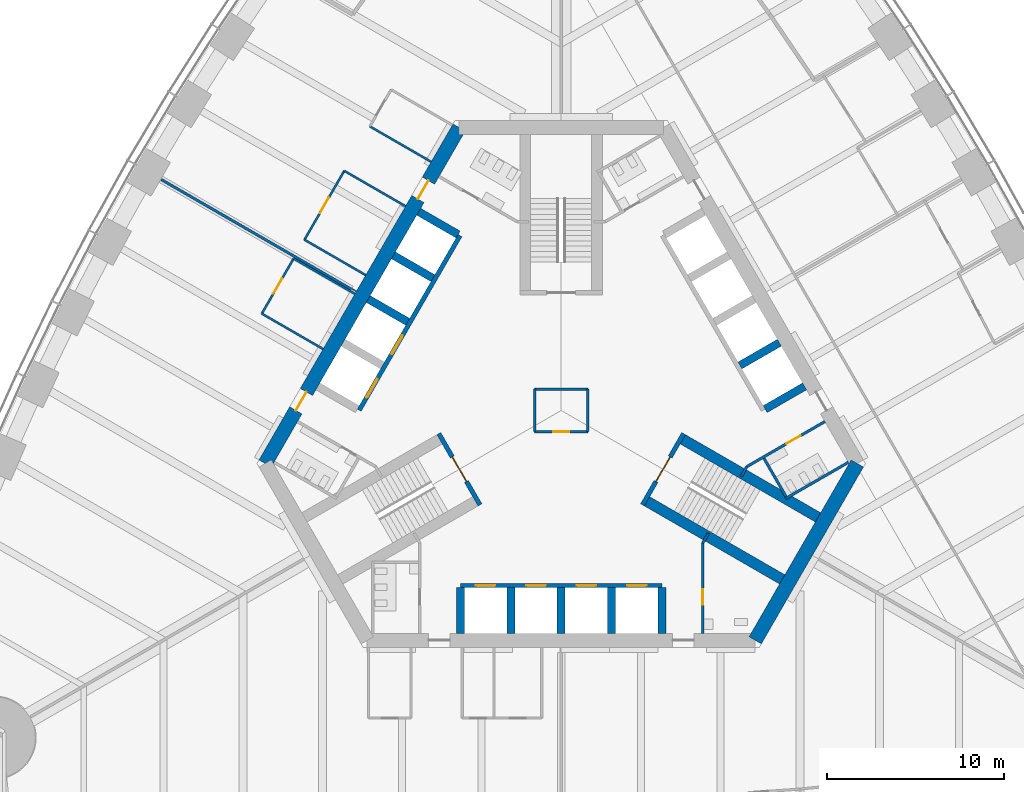
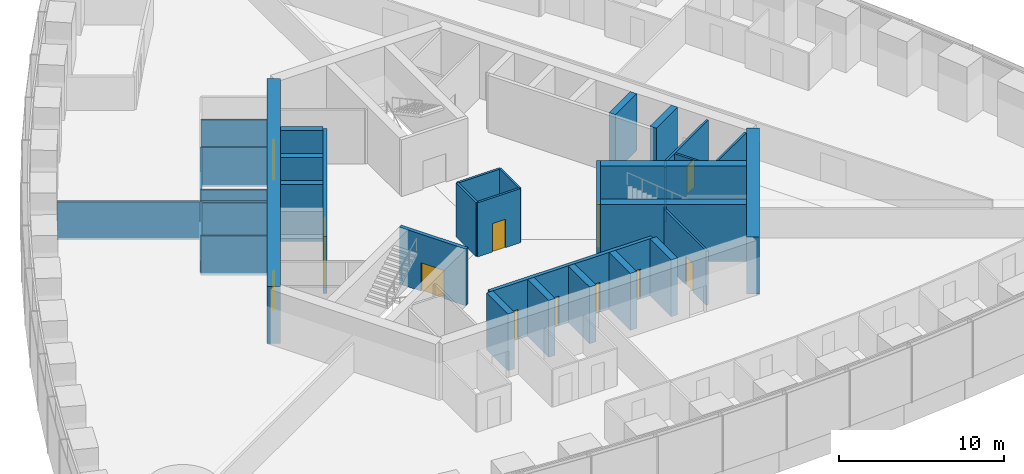
# One storey, part 11 of 18: 36 walls, 15 doors, 15 openings.
"""IFC4 building model written with IfcOpenShell, lengths in metres."""

from ifc_helpers import new_model, si_unit, direction, frame, frame_2d, origin, place, context, subcontext, project, spatial, rectangle, extrude, material, layer, layer_set, type_object, element, fill, save


model = new_model("IFC4")

# Units and contexts
model_context = context("Model", 3, precision=1e-05, world=origin(), true_north=direction((0.0, 1.0)))
body_context = subcontext(model_context, "Body", "Model", "MODEL_VIEW")
ifc_project = project(units=[si_unit("LENGTHUNIT", "METRE"), si_unit("AREAUNIT", "SQUARE_METRE"), si_unit("VOLUMEUNIT", "CUBIC_METRE"), si_unit("PLANEANGLEUNIT", "RADIAN"), si_unit("MASSUNIT", "GRAM", prefix="KILO")], contexts=[model_context])

# Site, building, storey
site_placement = place(None, origin())
site = spatial("IfcSite", under=ifc_project, at=site_placement, CompositionType="ELEMENT")
building_placement = place(site_placement, origin())
building = spatial("IfcBuilding", under=site, at=building_placement, Name="Trefoil Bronze Tower", CompositionType="ELEMENT")
storey_placement = place(building_placement, frame((0.0, 0.0, 66.89990234375)))
storey = spatial("IfcBuildingStorey", under=building, at=storey_placement, Name="L15", CompositionType="ELEMENT", Elevation=66.89990234375)

# Wall
ifc_material_1 = material(Name="Concrete B80", Category="concrete")
ifc_layer_1 = layer(ifc_material_1, 0.800048828125)
ifc_layer_set_1 = layer_set([ifc_layer_1], Name="Core wall 800")
wall_type_1 = type_object("IfcWallType", Name="Core wall 800", PredefinedType="SHEAR", material=ifc_layer_set_1)
wall_1_placement = place(storey_placement, frame((10.9697265625, -13.0, 0.0), z_axis=(0.0, 0.0, 1.0), x_axis=(0.499995765644, 0.866027848477, 0.0)))
element("IfcWall", 1, at=wall_1_placement, inside=storey, type_object=wall_type_1, Name="Core short wall 1 L15", PredefinedType="SHEAR", context=body_context, shape_type="SweptSolid", body=[
    extrude(rectangle(XDim=11.546875, YDim=0.800048828125, at=frame_2d((5.7734375, 0.0))), origin(), (0.0, 0.0, 1.0), 4.2001953125),
])

# Wall, openings, doors
wall_2_placement = place(storey_placement, frame((-5.7734375, 16.0, 0.0), z_axis=(0.0, 0.0, 1.0), x_axis=(-0.500002442456, -0.866023993627, 0.0)))
wall_2 = element("IfcWall", 2, at=wall_2_placement, inside=storey, type_object=wall_type_1, Name="Core long wall 3 L15", PredefinedType="SHEAR", context=body_context, shape_type="SweptSolid", body=[
    extrude(rectangle(XDim=21.939453125, YDim=0.800048828125, at=frame_2d((10.9697265625, 0.0))), origin(), (0.0, 0.0, 1.0), 4.2001953125),
])
opening_1_placement = place(wall_2_placement, frame((17.269775390625, 0.0, 0.0)))
opening_1 = element("IfcOpeningElement", 3, at=opening_1_placement, cuts=wall_2, Name="Opening D2", PredefinedType="OPENING", context=body_context, shape_type="SweptSolid", body=[
    extrude(rectangle(XDim=1.199951171875, YDim=2.10009765625, at=frame_2d((0.60009765625, 1.050048828125))), frame((0.0, 0.409912109375, 0.0), z_axis=(0.0, -1.0, 0.0), x_axis=(1.0, 0.0, 0.0)), (0.0, 0.0, 1.0), 0.820068359375),
])
opening_2_placement = place(wall_2_placement, frame((3.4697265625, 0.0, 0.0)))
opening_2 = element("IfcOpeningElement", 4, at=opening_2_placement, cuts=wall_2, Name="Opening D2", PredefinedType="OPENING", context=body_context, shape_type="SweptSolid", body=[
    extrude(rectangle(XDim=1.199951171875, YDim=2.10009765625, at=frame_2d((0.60009765625, 1.050048828125))), frame((0.0, 0.409912109375, 0.0), z_axis=(0.0, -1.0, 0.0), x_axis=(1.0, 0.0, 0.0)), (0.0, 0.0, 1.0), 0.820068359375),
])
ifc_material_2 = material(Name="Steel door", Category="steel")
door_type_1 = type_object("IfcDoorType", Name="Lobby door 1200", OperationType="SINGLE_SWING_RIGHT", PredefinedType="DOOR", material=ifc_material_2)
door_1_placement = place(opening_1_placement, origin())
door_1 = element("IfcDoor", 5, at=door_1_placement, inside=storey, type_object=door_type_1, Name="Lobby door F3+ L15", OperationType="SINGLE_SWING_RIGHT", OverallHeight=2.10009765625, OverallWidth=1.199951171875, PredefinedType="DOOR", context=body_context, shape_type="SweptSolid", body=[
    extrude(rectangle(XDim=1.199951171875, YDim=2.10009765625, at=frame_2d((0.60009765625, 1.050048828125))), frame((0.0, 0.02490234375, 0.0), z_axis=(0.0, -1.0, 0.0), x_axis=(1.0, 0.0, 0.0)), (0.0, 0.0, 1.0), 0.050048828125),
])
fill(opening_1, door_1)
door_2_placement = place(opening_2_placement, origin())
door_2 = element("IfcDoor", 6, at=door_2_placement, inside=storey, type_object=door_type_1, Name="Lobby door F3- L15", OperationType="SINGLE_SWING_LEFT", OverallHeight=2.10009765625, OverallWidth=1.199951171875, PredefinedType="DOOR", context=body_context, shape_type="SweptSolid", body=[
    extrude(rectangle(XDim=1.199951171875, YDim=2.10009765625, at=frame_2d((0.60009765625, 1.050048828125))), frame((0.0, 0.02490234375, 0.0), z_axis=(0.0, -1.0, 0.0), x_axis=(1.0, 0.0, 0.0)), (0.0, 0.0, 1.0), 0.050048828125),
])
fill(opening_2, door_2)

# Wall, opening, door
ifc_material_3 = material(Name="Glazed partition", Category="glass")
ifc_layer_2 = layer(ifc_material_3, 0.1201171875)
ifc_layer_set_2 = layer_set([ifc_layer_2], Name="Glazed partition 120")
wall_type_2 = type_object("IfcWallType", Name="Glazed partition 120", PredefinedType="PARTITIONING", material=ifc_layer_set_2)
wall_3_placement = place(storey_placement, frame((-15.13134765625, 8.591796875, 0.0), z_axis=(0.0, 0.0, 1.0), x_axis=(-0.500012057535, -0.866018442252, 0.0)))
wall_3 = element("IfcWall", 7, at=wall_3_placement, inside=storey, type_object=wall_type_2, Name="Partition F3 L15", PredefinedType="PARTITIONING", context=body_context, shape_type="SweptSolid", body=[
    extrude(rectangle(XDim=3.60009765625, YDim=0.1201171875, at=frame_2d((1.800048828125, 0.0))), origin(), (0.0, 0.0, 1.0), 2.900146484375),
])
opening_3_placement = place(wall_3_placement, frame((1.300048828125, 0.0, 0.14990234375)))
opening_3 = element("IfcOpeningElement", 8, at=opening_3_placement, cuts=wall_3, Name="Opening D9", PredefinedType="OPENING", context=body_context, shape_type="SweptSolid", body=[
    extrude(rectangle(XDim=1.0, YDim=2.10009765625, at=frame_2d((0.5, 1.050048828125))), frame((0.0, 0.070068359375, 0.0), z_axis=(0.0, -1.0, 0.0), x_axis=(1.0, 0.0, 0.0)), (0.0, 0.0, 1.0), 0.14013671875),
])
ifc_material_4 = material(Name="Glazed timber door", Category="wood")
door_type_2 = type_object("IfcDoorType", Name="Meeting room door 1000", OperationType="SINGLE_SWING_LEFT", PredefinedType="DOOR", material=ifc_material_4)
door_3_placement = place(opening_3_placement, origin())
door_3 = element("IfcDoor", 9, at=door_3_placement, inside=storey, type_object=door_type_2, Name="Meeting room door F3 L15", OperationType="SINGLE_SWING_LEFT", OverallHeight=2.10009765625, OverallWidth=1.0, PredefinedType="DOOR", context=body_context, shape_type="SweptSolid", body=[
    extrude(rectangle(XDim=1.0, YDim=2.10009765625, at=frame_2d((0.5, 1.050048828125))), frame((0.0, 0.02490234375, 0.0), z_axis=(0.0, -1.0, 0.0), x_axis=(1.0, 0.0, 0.0)), (0.0, 0.0, 1.0), 0.050048828125),
])
fill(opening_3, door_3)

wall_4_placement = place(storey_placement, frame((-12.268798828125, 13.5498046875, 0.0), z_axis=(0.0, 0.0, 1.0), x_axis=(-0.499990139034, -0.866031096941, 0.0)))
wall_4 = element("IfcWall", 10, at=wall_4_placement, inside=storey, type_object=wall_type_2, Name="Partition F3 L15", PredefinedType="PARTITIONING", context=body_context, shape_type="SweptSolid", body=[
    extrude(rectangle(XDim=4.5, YDim=0.1201171875, at=frame_2d((2.25, 0.0))), origin(), (0.0, 0.0, 1.0), 2.900146484375),
])
opening_4_placement = place(wall_4_placement, frame((1.75, 0.0, 0.14990234375)))
opening_4 = element("IfcOpeningElement", 11, at=opening_4_placement, cuts=wall_4, Name="Opening D9", PredefinedType="OPENING", context=body_context, shape_type="SweptSolid", body=[
    extrude(rectangle(XDim=1.0, YDim=2.10009765625, at=frame_2d((0.5, 1.050048828125))), frame((0.0, 0.070068359375, 0.0), z_axis=(0.0, -1.0, 0.0), x_axis=(1.0, 0.0, 0.0)), (0.0, 0.0, 1.0), 0.14013671875),
])
door_4_placement = place(opening_4_placement, origin())
door_4 = element("IfcDoor", 12, at=door_4_placement, inside=storey, type_object=door_type_2, Name="Project room door F3 L15", OperationType="SINGLE_SWING_RIGHT", OverallHeight=2.10009765625, OverallWidth=1.0, PredefinedType="DOOR", context=body_context, shape_type="SweptSolid", body=[
    extrude(rectangle(XDim=1.0, YDim=2.10009765625, at=frame_2d((0.5, 1.050048828125))), frame((0.0, 0.02490234375, 0.0), z_axis=(0.0, -1.0, 0.0), x_axis=(1.0, 0.0, 0.0)), (0.0, 0.0, 1.0), 0.050048828125),
])
fill(opening_4, door_4)

# Walls
wall_5_placement = place(storey_placement, frame((-11.667236328125, 6.591796875, 0.0), z_axis=(0.0, 0.0, 1.0), x_axis=(-0.866026010844, 0.49999894854, 0.0)))
element("IfcWall", 13, at=wall_5_placement, inside=storey, type_object=wall_type_2, Name="Partition F3 L15", PredefinedType="PARTITIONING", context=body_context, shape_type="SweptSolid", body=[
    extrude(rectangle(XDim=4.0, YDim=0.1201171875, at=frame_2d((2.0, 0.0))), origin(), (0.0, 0.0, 1.0), 2.800048828125),
])
for number, where, z_axis, x_axis, name in (
    (14, (-13.46728515625, 3.47412109375, 0.0), (0.0, 0.0, 1.0), (-0.866026010844, 0.49999894854, 0.0), "Partition F3 L15"),
    (15, (-11.0546875, 7.652587890625, 0.0), (0.0, 0.0, 1.0), (-0.866026010844, 0.49999894854, 0.0), "Partition F3 L15"),
    (16, (-8.8046875, 11.5498046875, 0.0), (0.0, 0.0, 1.0), (-0.866026010844, 0.49999894854, 0.0), "Partition F3 L15"),
    (17, (-7.354736328125, 14.061279296875, 0.0), (0.0, 0.0, 1.0), (-0.866026010844, 0.49999894854, 0.0), "Partition F3 L15"),
):
    element("IfcWall", number, at=place(storey_placement, frame(where, z_axis=z_axis, x_axis=x_axis)), inside=storey, type_object=wall_type_2, Name=name, PredefinedType="PARTITIONING", context=body_context, shape_type="SweptSolid", body=[
        extrude(rectangle(XDim=4.0, YDim=0.1201171875, at=frame_2d((2.0, 0.0))), origin(), (0.0, 0.0, 1.0), 2.900146484375),
    ])
ifc_material_5 = material(Name="Concrete B80", Category="concrete")
ifc_layer_3 = layer(ifc_material_5, 0.449951171875)
ifc_layer_set_3 = layer_set([ifc_layer_3], Name="Outrigger shaft wall 450")
wall_type_3 = type_object("IfcWallType", Name="Outrigger shaft wall 450", PredefinedType="SHEAR", material=ifc_layer_set_3)
for number, where, z_axis, x_axis, name in (
    (18, (-5.699951171875, -10.02490234375, 0.0), (0.0, 0.0, 1.0), (0.0, -1.0, 0.0), "Lift shaft side wall A0 L15"),
    (19, (-2.85009765625, -10.02490234375, 0.0), (0.0, 0.0, 1.0), (0.0, -1.0, 0.0), "Lift shaft side wall A1 L15"),
    (20, (0.0, -10.02490234375, 0.0), (0.0, 0.0, 1.0), (0.0, -1.0, 0.0), "Lift shaft side wall A2 L15"),
    (21, (2.85009765625, -10.02490234375, 0.0), (0.0, 0.0, 1.0), (0.0, -1.0, 0.0), "Lift shaft side wall A3 L15"),
    (22, (5.699951171875, -10.02490234375, 0.0), (0.0, 0.0, 1.0), (0.0, -1.0, 0.0), "Lift shaft side wall A4 L15"),
):
    element("IfcWall", number, at=place(storey_placement, frame(where, z_axis=z_axis, x_axis=x_axis)), inside=storey, type_object=wall_type_3, Name=name, PredefinedType="SHEAR", context=body_context, shape_type="SweptSolid", body=[
        extrude(rectangle(XDim=2.5751953125, YDim=0.449951171875, at=frame_2d((1.28759765625, 0.0))), origin(), (0.0, 0.0, 1.0), 4.2001953125),
    ])
for number, where, z_axis, x_axis, name in (
    (23, (11.531982421875, 0.076171875, 0.0), (0.0, 0.0, 1.0), (0.866005588531, 0.500034319456, 0.0), "Lift shaft side wall B0 L15"),
    (24, (10.10693359375, 2.54443359375, 0.0), (0.0, 0.0, 1.0), (0.866046643894, 0.499963209246, 0.0), "Lift shaft side wall B1 L15"),
):
    element("IfcWall", number, at=place(storey_placement, frame(where, z_axis=z_axis, x_axis=x_axis)), inside=storey, type_object=wall_type_3, Name=name, PredefinedType="SHEAR", context=body_context, shape_type="SweptSolid", body=[
        extrude(rectangle(XDim=2.574951171875, YDim=0.449951171875, at=frame_2d((1.28759765625, 0.0))), origin(), (0.0, 0.0, 1.0), 4.2001953125),
    ])
wall_6_placement = place(storey_placement, frame((-5.831787109375, 9.94873046875, 0.0), z_axis=(0.0, 0.0, 1.0), x_axis=(-0.866029291668, 0.499993265928, 0.0)))
element("IfcWall", 25, at=wall_6_placement, inside=storey, type_object=wall_type_3, Name="Lift shaft side wall C0 L15", PredefinedType="SHEAR", context=body_context, shape_type="SweptSolid", body=[
    extrude(rectangle(XDim=2.5751953125, YDim=0.449951171875, at=frame_2d((1.28759765625, 0.0))), origin(), (0.0, 0.0, 1.0), 4.2001953125),
])
for number, where, z_axis, x_axis, name in (
    (26, (-7.2568359375, 7.480712890625, 0.0), (0.0, 0.0, 1.0), (-0.866046643894, 0.499963209246, 0.0), "Lift shaft side wall C1 L15"),
    (27, (-8.681884765625, 5.012451171875, 0.0), (0.0, 0.0, 1.0), (-0.866005588531, 0.500034319456, 0.0), "Lift shaft side wall C2 L15"),
):
    element("IfcWall", number, at=place(storey_placement, frame(where, z_axis=z_axis, x_axis=x_axis)), inside=storey, type_object=wall_type_3, Name=name, PredefinedType="SHEAR", context=body_context, shape_type="SweptSolid", body=[
        extrude(rectangle(XDim=2.574951171875, YDim=0.449951171875, at=frame_2d((1.28759765625, 0.0))), origin(), (0.0, 0.0, 1.0), 4.2001953125),
    ])

# Wall, opening, door
ifc_material_6 = material(Name="Gypsum board on steel studs", Category="steel")
ifc_layer_4 = layer(ifc_material_6, 0.14990234375)
ifc_layer_set_4 = layer_set([ifc_layer_4], Name="Partition 150")
wall_type_4 = type_object("IfcWallType", Name="Partition 150", PredefinedType="PARTITIONING", material=ifc_layer_set_4)
wall_7_placement = place(storey_placement, frame((8.0, -7.5, 0.0), z_axis=(0.0, 0.0, 1.0), x_axis=(0.0, -1.0, 0.0)))
wall_7 = element("IfcWall", 28, at=wall_7_placement, inside=storey, type_object=wall_type_4, Name="Passage wall F1+ L15", PredefinedType="PARTITIONING", context=body_context, shape_type="SweptSolid", body=[
    extrude(rectangle(XDim=5.10009765625, YDim=0.14990234375, at=frame_2d((2.550048828125, 0.0))), origin(), (0.0, 0.0, 1.0), 4.0),
])
opening_5_placement = place(wall_7_placement, frame((2.60009765625, 0.0, 0.0)))
opening_5 = element("IfcOpeningElement", 29, at=opening_5_placement, cuts=wall_7, Name="Opening D3", PredefinedType="OPENING", context=body_context, shape_type="SweptSolid", body=[
    extrude(rectangle(XDim=0.89990234375, YDim=2.10009765625, at=frame_2d((0.449951171875, 1.050048828125))), frame((0.0, 0.0849609375, 0.0), z_axis=(0.0, -1.0, 0.0), x_axis=(1.0, 0.0, 0.0)), (0.0, 0.0, 1.0), 0.169921875),
])
ifc_material_7 = material(Name="Timber door", Category="wood")
door_type_3 = type_object("IfcDoorType", Name="WC door 900", OperationType="SINGLE_SWING_LEFT", PredefinedType="DOOR", material=ifc_material_7)
door_5_placement = place(opening_5_placement, origin())
door_5 = element("IfcDoor", 30, at=door_5_placement, inside=storey, type_object=door_type_3, Name="Accessible WC door L15", OperationType="SINGLE_SWING_RIGHT", OverallHeight=2.10009765625, OverallWidth=0.89990234375, PredefinedType="DOOR", context=body_context, shape_type="SweptSolid", body=[
    extrude(rectangle(XDim=0.89990234375, YDim=2.10009765625, at=frame_2d((0.449951171875, 1.050048828125))), frame((0.0, 0.02490234375, 0.0), z_axis=(0.0, -1.0, 0.0), x_axis=(1.0, 0.0, 0.0)), (0.0, 0.0, 1.0), 0.050048828125),
])
fill(opening_5, door_5)

wall_8_placement = place(storey_placement, frame((10.4951171875, -3.17822265625, 0.0), z_axis=(0.0, 0.0, 1.0), x_axis=(0.86602216432, 0.500005610874, 0.0)))
wall_8 = element("IfcWall", 31, at=wall_8_placement, inside=storey, type_object=wall_type_4, Name="Passage wall F2- L15", PredefinedType="PARTITIONING", context=body_context, shape_type="SweptSolid", body=[
    extrude(rectangle(XDim=5.10009765625, YDim=0.14990234375, at=frame_2d((2.550048828125, 0.0))), origin(), (0.0, 0.0, 1.0), 4.0),
])
opening_6_placement = place(wall_8_placement, frame((2.60009765625, 0.0, 0.0)))
opening_6 = element("IfcOpeningElement", 32, at=opening_6_placement, cuts=wall_8, Name="Opening D3", PredefinedType="OPENING", context=body_context, shape_type="SweptSolid", body=[
    extrude(rectangle(XDim=0.89990234375, YDim=2.10009765625, at=frame_2d((0.449951171875, 1.050048828125))), frame((0.0, 0.0849609375, 0.0), z_axis=(0.0, -1.0, 0.0), x_axis=(1.0, 0.0, 0.0)), (0.0, 0.0, 1.0), 0.169921875),
])
door_6_placement = place(opening_6_placement, frame((0.89990234375, 0.0, 0.0), z_axis=(0.0, 0.0, 1.0), x_axis=(-1.0, 0.0, 0.0)))
door_6 = element("IfcDoor", 33, at=door_6_placement, inside=storey, type_object=door_type_3, Name="WC (women) door L15", OperationType="SINGLE_SWING_RIGHT", OverallHeight=2.10009765625, OverallWidth=0.89990234375, PredefinedType="DOOR", context=body_context, shape_type="SweptSolid", body=[
    extrude(rectangle(XDim=0.89990234375, YDim=2.10009765625, at=frame_2d((0.449951171875, 1.050048828125))), frame((0.0, 0.02490234375, 0.0), z_axis=(0.0, -1.0, 0.0), x_axis=(1.0, 0.0, 0.0)), (0.0, 0.0, 1.0), 0.050048828125),
])
fill(opening_6, door_6)

# Walls
for number, where, z_axis, x_axis, name in (
    (34, (8.0, -7.5, 0.0), (0.0, 0.0, 1.0), (0.499842556608, 0.866116284689, 0.0), "WC wall ST1-1 L15"),
    (35, (10.4951171875, -3.17822265625, 0.0), (0.0, 0.0, 1.0), (-0.499842556608, -0.866116284689, 0.0), "WC wall ST1+1 L15"),
):
    element("IfcWall", number, at=place(storey_placement, frame(where, z_axis=z_axis, x_axis=x_axis)), inside=storey, type_object=wall_type_4, Name=name, PredefinedType="PARTITIONING", context=body_context, shape_type="SweptSolid", body=[
        extrude(rectangle(XDim=0.645263671875, YDim=0.14990234375, at=frame_2d((0.32275390625, 0.0))), origin(), (0.0, 0.0, 1.0), 4.0),
    ])
wall_9_placement = place(storey_placement, frame((12.691162109375, -4.98193359375, 0.0), z_axis=(0.0, 0.0, 1.0), x_axis=(0.8660249478, 0.500000789788, 0.0)))
element("IfcWall", 36, at=wall_9_placement, inside=storey, type_object=wall_type_4, Name="WC partition WC (women) L15", PredefinedType="PARTITIONING", context=body_context, shape_type="SweptSolid", body=[
    extrude(rectangle(XDim=4.10009765625, YDim=0.14990234375, at=frame_2d((2.050048828125, 0.0))), origin(), (0.0, 0.0, 1.0), 4.0),
])
wall_10_placement = place(storey_placement, frame((11.463623046875, -2.70556640625, 0.0), z_axis=(0.0, 0.0, 1.0), x_axis=(0.50001992892, -0.866013897511, 0.0)))
element("IfcWall", 37, at=wall_10_placement, inside=storey, type_object=wall_type_4, Name="WC partition WC (women) L15", PredefinedType="PARTITIONING", context=body_context, shape_type="SweptSolid", body=[
    extrude(rectangle(XDim=2.51025390625, YDim=0.14990234375, at=frame_2d((1.255126953125, 0.0))), origin(), (0.0, 0.0, 1.0), 4.0),
])
ifc_material_8 = material(Name="Gypsum board on steel studs", Category="steel")
ifc_layer_5 = layer(ifc_material_8, 0.14990234375)
ifc_layer_set_5 = layer_set([ifc_layer_5], Name="Party wall 150")
wall_type_5 = type_object("IfcWallType", Name="Party wall 150", PredefinedType="PARTITIONING", material=ifc_layer_set_5)
wall_11_placement = place(storey_placement, frame((-11.61328125, 6.705078125, 0.0), z_axis=(0.0, 0.0, 1.0), x_axis=(-0.866029791586, 0.499992400027, 0.0)))
element("IfcWall", 38, at=wall_11_placement, inside=storey, type_object=wall_type_5, Name="Demising wall F3 L15", PredefinedType="PARTITIONING", context=body_context, shape_type="SweptSolid", body=[
    extrude(rectangle(XDim=12.708740234375, YDim=0.14990234375, at=frame_2d((6.3544921875, 0.0))), origin(), (0.0, 0.0, 1.0), 2.800048828125),
])

# Wall, opening, door
ifc_material_9 = material(Name="Gypsum board on steel studs", Category="steel")
ifc_layer_6 = layer(ifc_material_9, 0.14990234375)
ifc_layer_set_6 = layer_set([ifc_layer_6], Name="Riser wall 150")
wall_type_6 = type_object("IfcWallType", Name="Riser wall 150", PredefinedType="PARTITIONING", material=ifc_layer_set_6)
wall_12_placement = place(storey_placement, frame((-1.5, -1.199951171875, 0.0), z_axis=(0.0, 0.0, 1.0), x_axis=(1.0, 0.0, 0.0)))
wall_12 = element("IfcWall", 39, at=wall_12_placement, inside=storey, type_object=wall_type_6, Name="Riser wall L15", PredefinedType="PARTITIONING", context=body_context, shape_type="SweptSolid", body=[
    extrude(rectangle(XDim=3.0, YDim=0.14990234375, at=frame_2d((1.5, 0.0))), origin(), (0.0, 0.0, 1.0), 4.0),
])
opening_7_placement = place(wall_12_placement, frame((1.050048828125, 0.0, 0.0)))
opening_7 = element("IfcOpeningElement", 40, at=opening_7_placement, cuts=wall_12, Name="Opening D4", PredefinedType="OPENING", context=body_context, shape_type="SweptSolid", body=[
    extrude(rectangle(XDim=0.89990234375, YDim=2.10009765625, at=frame_2d((0.449951171875, 1.050048828125))), frame((0.0, 0.0849609375, 0.0), z_axis=(0.0, -1.0, 0.0), x_axis=(1.0, 0.0, 0.0)), (0.0, 0.0, 1.0), 0.169921875),
])
ifc_material_10 = material(Name="Steel door", Category="steel")
door_type_4 = type_object("IfcDoorType", Name="Riser door 900", OperationType="SINGLE_SWING_LEFT", PredefinedType="DOOR", material=ifc_material_10)
door_7_placement = place(opening_7_placement, frame((0.89990234375, 0.0, 0.0), z_axis=(0.0, 0.0, 1.0), x_axis=(-1.0, 0.0, 0.0)))
door_7 = element("IfcDoor", 41, at=door_7_placement, inside=storey, type_object=door_type_4, Name="Riser door L15", OperationType="SINGLE_SWING_LEFT", OverallHeight=2.10009765625, OverallWidth=0.89990234375, PredefinedType="DOOR", context=body_context, shape_type="SweptSolid", body=[
    extrude(rectangle(XDim=0.89990234375, YDim=2.10009765625, at=frame_2d((0.449951171875, 1.050048828125))), frame((0.0, 0.02490234375, 0.0), z_axis=(0.0, -1.0, 0.0), x_axis=(1.0, 0.0, 0.0)), (0.0, 0.0, 1.0), 0.050048828125),
])
fill(opening_7, door_7)

# Walls
wall_13_placement = place(storey_placement, frame((1.5, -1.199951171875, 0.0), z_axis=(0.0, 0.0, 1.0), x_axis=(0.0, 1.0, 0.0)))
element("IfcWall", 42, at=wall_13_placement, inside=storey, type_object=wall_type_6, Name="Riser wall L15", PredefinedType="PARTITIONING", context=body_context, shape_type="SweptSolid", body=[
    extrude(rectangle(XDim=2.39990234375, YDim=0.14990234375, at=frame_2d((1.199951171875, 0.0))), origin(), (0.0, 0.0, 1.0), 4.0),
])
wall_14_placement = place(storey_placement, frame((1.5, 1.199951171875, 0.0), z_axis=(0.0, 0.0, 1.0), x_axis=(-1.0, 0.0, 0.0)))
element("IfcWall", 43, at=wall_14_placement, inside=storey, type_object=wall_type_6, Name="Riser wall L15", PredefinedType="PARTITIONING", context=body_context, shape_type="SweptSolid", body=[
    extrude(rectangle(XDim=3.0, YDim=0.14990234375, at=frame_2d((1.5, 0.0))), origin(), (0.0, 0.0, 1.0), 4.0),
])
wall_15_placement = place(storey_placement, frame((-1.5, 1.199951171875, 0.0), z_axis=(0.0, 0.0, 1.0), x_axis=(0.0, -1.0, 0.0)))
element("IfcWall", 44, at=wall_15_placement, inside=storey, type_object=wall_type_6, Name="Riser wall L15", PredefinedType="PARTITIONING", context=body_context, shape_type="SweptSolid", body=[
    extrude(rectangle(XDim=2.39990234375, YDim=0.14990234375, at=frame_2d((1.199951171875, 0.0))), origin(), (0.0, 0.0, 1.0), 4.0),
])

# Wall, openings, doors
ifc_material_11 = material(Name="Concrete B80", Category="concrete")
ifc_layer_7 = layer(ifc_material_11, 0.25)
ifc_layer_set_7 = layer_set([ifc_layer_7], Name="Shaft wall 250")
wall_type_7 = type_object("IfcWallType", Name="Shaft wall 250", PredefinedType="SHEAR", material=ifc_layer_set_7)
wall_16_placement = place(storey_placement, frame((-5.699951171875, -9.89990234375, 0.0), z_axis=(0.0, 0.0, 1.0), x_axis=(1.0, 0.0, 0.0)))
wall_16 = element("IfcWall", 45, at=wall_16_placement, inside=storey, type_object=wall_type_7, Name="Lift shaft front wall A L15", PredefinedType="SHEAR", context=body_context, shape_type="SweptSolid", body=[
    extrude(rectangle(XDim=11.39990234375, YDim=0.25, at=frame_2d((5.699951171875, 0.0))), origin(), (0.0, 0.0, 1.0), 4.2001953125),
])
opening_8_placement = place(wall_16_placement, frame((0.875, 0.0, 0.0)))
opening_8 = element("IfcOpeningElement", 46, at=opening_8_placement, cuts=wall_16, Name="Opening LD-P11", PredefinedType="OPENING", context=body_context, shape_type="SweptSolid", body=[
    extrude(rectangle(XDim=1.10009765625, YDim=2.199951171875, at=frame_2d((0.550048828125, 1.10009765625))), frame((0.0, 0.135009765625, 0.0), z_axis=(0.0, -1.0, 0.0), x_axis=(1.0, 0.0, 0.0)), (0.0, 0.0, 1.0), 0.27001953125),
])
opening_9_placement = place(wall_16_placement, frame((3.72509765625, 0.0, 0.0)))
opening_9 = element("IfcOpeningElement", 47, at=opening_9_placement, cuts=wall_16, Name="Opening LD-P12", PredefinedType="OPENING", context=body_context, shape_type="SweptSolid", body=[
    extrude(rectangle(XDim=1.10009765625, YDim=2.199951171875, at=frame_2d((0.550048828125, 1.10009765625))), frame((0.0, 0.135009765625, 0.0), z_axis=(0.0, -1.0, 0.0), x_axis=(1.0, 0.0, 0.0)), (0.0, 0.0, 1.0), 0.27001953125),
])
opening_10_placement = place(wall_16_placement, frame((6.574951171875, 0.0, 0.0)))
opening_10 = element("IfcOpeningElement", 48, at=opening_10_placement, cuts=wall_16, Name="Opening LD-P13", PredefinedType="OPENING", context=body_context, shape_type="SweptSolid", body=[
    extrude(rectangle(XDim=1.10009765625, YDim=2.199951171875, at=frame_2d((0.550048828125, 1.10009765625))), frame((0.0, 0.135009765625, 0.0), z_axis=(0.0, -1.0, 0.0), x_axis=(1.0, 0.0, 0.0)), (0.0, 0.0, 1.0), 0.27001953125),
])
opening_11_placement = place(wall_16_placement, frame((9.425048828125, 0.0, 0.0)))
opening_11 = element("IfcOpeningElement", 49, at=opening_11_placement, cuts=wall_16, Name="Opening LD-P14", PredefinedType="OPENING", context=body_context, shape_type="SweptSolid", body=[
    extrude(rectangle(XDim=1.10009765625, YDim=2.199951171875, at=frame_2d((0.550048828125, 1.10009765625))), frame((0.0, 0.135009765625, 0.0), z_axis=(0.0, -1.0, 0.0), x_axis=(1.0, 0.0, 0.0)), (0.0, 0.0, 1.0), 0.27001953125),
])
ifc_material_12 = material(Name="Steel door", Category="steel")
door_type_5 = type_object("IfcDoorType", Name="Lift landing door 1100", OperationType="DOUBLE_DOOR_SLIDING", PredefinedType="DOOR", material=ifc_material_12)
door_8_placement = place(opening_8_placement, origin())
door_8 = element("IfcDoor", 50, at=door_8_placement, inside=storey, type_object=door_type_5, Name="Lift P11 landing door L15", OperationType="DOUBLE_DOOR_SLIDING", OverallHeight=2.199951171875, OverallWidth=1.10009765625, PredefinedType="DOOR", context=body_context, shape_type="SweptSolid", body=[
    extrude(rectangle(XDim=1.10009765625, YDim=2.199951171875, at=frame_2d((0.550048828125, 1.10009765625))), frame((0.0, 0.02490234375, 0.0), z_axis=(0.0, -1.0, 0.0), x_axis=(1.0, 0.0, 0.0)), (0.0, 0.0, 1.0), 0.050048828125),
])
fill(opening_8, door_8)
door_9_placement = place(opening_9_placement, origin())
door_9 = element("IfcDoor", 51, at=door_9_placement, inside=storey, type_object=door_type_5, Name="Lift P12 landing door L15", OperationType="DOUBLE_DOOR_SLIDING", OverallHeight=2.199951171875, OverallWidth=1.10009765625, PredefinedType="DOOR", context=body_context, shape_type="SweptSolid", body=[
    extrude(rectangle(XDim=1.10009765625, YDim=2.199951171875, at=frame_2d((0.550048828125, 1.10009765625))), frame((0.0, 0.02490234375, 0.0), z_axis=(0.0, -1.0, 0.0), x_axis=(1.0, 0.0, 0.0)), (0.0, 0.0, 1.0), 0.050048828125),
])
fill(opening_9, door_9)
door_10_placement = place(opening_10_placement, origin())
door_10 = element("IfcDoor", 52, at=door_10_placement, inside=storey, type_object=door_type_5, Name="Lift P13 landing door L15", OperationType="DOUBLE_DOOR_SLIDING", OverallHeight=2.199951171875, OverallWidth=1.10009765625, PredefinedType="DOOR", context=body_context, shape_type="SweptSolid", body=[
    extrude(rectangle(XDim=1.10009765625, YDim=2.199951171875, at=frame_2d((0.550048828125, 1.10009765625))), frame((0.0, 0.02490234375, 0.0), z_axis=(0.0, -1.0, 0.0), x_axis=(1.0, 0.0, 0.0)), (0.0, 0.0, 1.0), 0.050048828125),
])
fill(opening_10, door_10)
door_11_placement = place(opening_11_placement, origin())
door_11 = element("IfcDoor", 53, at=door_11_placement, inside=storey, type_object=door_type_5, Name="Lift P14 landing door L15", OperationType="DOUBLE_DOOR_SLIDING", OverallHeight=2.199951171875, OverallWidth=1.10009765625, PredefinedType="DOOR", context=body_context, shape_type="SweptSolid", body=[
    extrude(rectangle(XDim=1.10009765625, YDim=2.199951171875, at=frame_2d((0.550048828125, 1.10009765625))), frame((0.0, 0.02490234375, 0.0), z_axis=(0.0, -1.0, 0.0), x_axis=(1.0, 0.0, 0.0)), (0.0, 0.0, 1.0), 0.050048828125),
])
fill(opening_11, door_11)

wall_17_placement = place(storey_placement, frame((-5.7236328125, 9.88623046875, 0.0), z_axis=(0.0, 0.0, 1.0), x_axis=(-0.500001763848, -0.866024385424, 0.0)))
wall_17 = element("IfcWall", 54, at=wall_17_placement, inside=storey, type_object=wall_type_7, Name="Lift shaft front wall C L15", PredefinedType="SHEAR", context=body_context, shape_type="SweptSolid", body=[
    extrude(rectangle(XDim=11.39990234375, YDim=0.25, at=frame_2d((5.699951171875, 0.0))), origin(), (0.0, 0.0, 1.0), 4.2001953125),
])
opening_12_placement = place(wall_17_placement, frame((6.52490234375, 0.0, 0.0)))
opening_12 = element("IfcOpeningElement", 55, at=opening_12_placement, cuts=wall_17, Name="Opening LD-FL1", PredefinedType="OPENING", context=body_context, shape_type="SweptSolid", body=[
    extrude(rectangle(XDim=1.199951171875, YDim=2.199951171875, at=frame_2d((0.60009765625, 1.10009765625))), frame((0.0, 0.135009765625, 0.0), z_axis=(0.0, -1.0, 0.0), x_axis=(1.0, 0.0, 0.0)), (0.0, 0.0, 1.0), 0.27001953125),
])
opening_13_placement = place(wall_17_placement, frame((9.375, 0.0, 0.0)))
opening_13 = element("IfcOpeningElement", 56, at=opening_13_placement, cuts=wall_17, Name="Opening LD-FL2", PredefinedType="OPENING", context=body_context, shape_type="SweptSolid", body=[
    extrude(rectangle(XDim=1.199951171875, YDim=2.199951171875, at=frame_2d((0.60009765625, 1.10009765625))), frame((0.0, 0.135009765625, 0.0), z_axis=(0.0, -1.0, 0.0), x_axis=(1.0, 0.0, 0.0)), (0.0, 0.0, 1.0), 0.27001953125),
])
ifc_material_13 = material(Name="Steel door", Category="steel")
door_type_6 = type_object("IfcDoorType", Name="Lift landing door 1200", OperationType="DOUBLE_DOOR_SLIDING", PredefinedType="DOOR", material=ifc_material_13)
door_12_placement = place(opening_12_placement, origin())
door_12 = element("IfcDoor", 57, at=door_12_placement, inside=storey, type_object=door_type_6, Name="Lift FL1 landing door L15", OperationType="DOUBLE_DOOR_SLIDING", OverallHeight=2.199951171875, OverallWidth=1.199951171875, PredefinedType="DOOR", context=body_context, shape_type="SweptSolid", body=[
    extrude(rectangle(XDim=1.199951171875, YDim=2.199951171875, at=frame_2d((0.60009765625, 1.10009765625))), frame((0.0, 0.02490234375, 0.0), z_axis=(0.0, -1.0, 0.0), x_axis=(1.0, 0.0, 0.0)), (0.0, 0.0, 1.0), 0.050048828125),
])
fill(opening_12, door_12)
door_13_placement = place(opening_13_placement, origin())
door_13 = element("IfcDoor", 58, at=door_13_placement, inside=storey, type_object=door_type_6, Name="Lift FL2 landing door L15", OperationType="DOUBLE_DOOR_SLIDING", OverallHeight=2.199951171875, OverallWidth=1.199951171875, PredefinedType="DOOR", context=body_context, shape_type="SweptSolid", body=[
    extrude(rectangle(XDim=1.199951171875, YDim=2.199951171875, at=frame_2d((0.60009765625, 1.10009765625))), frame((0.0, 0.02490234375, 0.0), z_axis=(0.0, -1.0, 0.0), x_axis=(1.0, 0.0, 0.0)), (0.0, 0.0, 1.0), 0.050048828125),
])
fill(opening_13, door_13)

# Wall, opening, door
wall_18_placement = place(storey_placement, frame((4.5966796875, -5.338623046875, 0.0), z_axis=(0.0, 0.0, 1.0), x_axis=(0.499984536904, 0.866034331223, 0.0)))
wall_18 = element("IfcWall", 59, at=wall_18_placement, inside=storey, type_object=wall_type_7, Name="Stair end wall ST1 L15", PredefinedType="SHEAR", context=body_context, shape_type="SweptSolid", body=[
    extrude(rectangle(XDim=4.650146484375, YDim=0.25, at=frame_2d((2.3251953125, 0.0))), origin(), (0.0, 0.0, 1.0), 4.2001953125),
])
opening_14_placement = place(wall_18_placement, frame((1.52490234375, 0.0, 0.0)))
opening_14 = element("IfcOpeningElement", 60, at=opening_14_placement, cuts=wall_18, Name="Opening D1", PredefinedType="OPENING", context=body_context, shape_type="SweptSolid", body=[
    extrude(rectangle(XDim=1.60009765625, YDim=2.10009765625, at=frame_2d((0.800048828125, 1.050048828125))), frame((0.0, 0.135009765625, 0.0), z_axis=(0.0, -1.0, 0.0), x_axis=(1.0, 0.0, 0.0)), (0.0, 0.0, 1.0), 0.27001953125),
])
ifc_material_14 = material(Name="Steel door", Category="steel")
door_type_7 = type_object("IfcDoorType", Name="Stair door 1600", OperationType="DOUBLE_DOOR_SINGLE_SWING", PredefinedType="DOOR", material=ifc_material_14)
door_14_placement = place(opening_14_placement, frame((1.60009765625, 0.0, 0.0), z_axis=(0.0, 0.0, 1.0), x_axis=(-1.0, 0.0, 0.0)))
door_14 = element("IfcDoor", 61, at=door_14_placement, inside=storey, type_object=door_type_7, Name="Stair door ST1 L15", OperationType="DOUBLE_DOOR_SINGLE_SWING", OverallHeight=2.10009765625, OverallWidth=1.60009765625, PredefinedType="DOOR", context=body_context, shape_type="SweptSolid", body=[
    extrude(rectangle(XDim=1.60009765625, YDim=2.10009765625, at=frame_2d((0.800048828125, 1.050048828125))), frame((0.0, 0.02490234375, 0.0), z_axis=(0.0, -1.0, 0.0), x_axis=(1.0, 0.0, 0.0)), (0.0, 0.0, 1.0), 0.050048828125),
])
fill(opening_14, door_14)

wall_19_placement = place(storey_placement, frame((-6.921630859375, -1.3115234375, 0.0), z_axis=(0.0, 0.0, 1.0), x_axis=(0.499984536904, -0.866034331223, 0.0)))
wall_19 = element("IfcWall", 62, at=wall_19_placement, inside=storey, type_object=wall_type_7, Name="Stair end wall ST3 L15", PredefinedType="SHEAR", context=body_context, shape_type="SweptSolid", body=[
    extrude(rectangle(XDim=4.650146484375, YDim=0.25, at=frame_2d((2.3251953125, 0.0))), origin(), (0.0, 0.0, 1.0), 4.2001953125),
])
opening_15_placement = place(wall_19_placement, frame((1.52490234375, 0.0, 0.0)))
opening_15 = element("IfcOpeningElement", 63, at=opening_15_placement, cuts=wall_19, Name="Opening D1", PredefinedType="OPENING", context=body_context, shape_type="SweptSolid", body=[
    extrude(rectangle(XDim=1.60009765625, YDim=2.10009765625, at=frame_2d((0.800048828125, 1.050048828125))), frame((0.0, 0.135009765625, 0.0), z_axis=(0.0, -1.0, 0.0), x_axis=(1.0, 0.0, 0.0)), (0.0, 0.0, 1.0), 0.27001953125),
])
door_15_placement = place(opening_15_placement, frame((1.60009765625, 0.0, 0.0), z_axis=(0.0, 0.0, 1.0), x_axis=(-1.0, 0.0, 0.0)))
door_15 = element("IfcDoor", 64, at=door_15_placement, inside=storey, type_object=door_type_7, Name="Stair door ST3 L15", OperationType="DOUBLE_DOOR_SINGLE_SWING", OverallHeight=2.10009765625, OverallWidth=1.60009765625, PredefinedType="DOOR", context=body_context, shape_type="SweptSolid", body=[
    extrude(rectangle(XDim=1.60009765625, YDim=2.10009765625, at=frame_2d((0.800048828125, 1.050048828125))), frame((0.0, 0.02490234375, 0.0), z_axis=(0.0, -1.0, 0.0), x_axis=(1.0, 0.0, 0.0)), (0.0, 0.0, 1.0), 0.050048828125),
])
fill(opening_15, door_15)

# Walls
ifc_material_15 = material(Name="Concrete B80", Category="concrete")
ifc_layer_8 = layer(ifc_material_15, 0.60009765625)
ifc_layer_set_8 = layer_set([ifc_layer_8], Name="Stair wall 600")
wall_type_8 = type_object("IfcWallType", Name="Stair wall 600", PredefinedType="SHEAR", material=ifc_layer_set_8)
for number, where, z_axis, x_axis, name in (
    (65, (4.638427734375, -5.01611328125, 0.0), (0.0, 0.0, 1.0), (0.866019375473, -0.500010441196, 0.0), "Stair wall ST1 L15"),
    (66, (6.663330078125, -1.5087890625, 0.0), (0.0, 0.0, 1.0), (0.866019375473, -0.500010441196, 0.0), "Stair wall ST1 L15"),
):
    element("IfcWall", number, at=place(storey_placement, frame(where, z_axis=z_axis, x_axis=x_axis)), inside=storey, type_object=wall_type_8, Name=name, PredefinedType="SHEAR", context=body_context, shape_type="SweptSolid", body=[
        extrude(rectangle(XDim=9.074951171875, YDim=0.60009765625, at=frame_2d((4.53759765625, 0.0))), origin(), (0.0, 0.0, 1.0), 4.2001953125),
    ])

save(model, "model.ifc")
